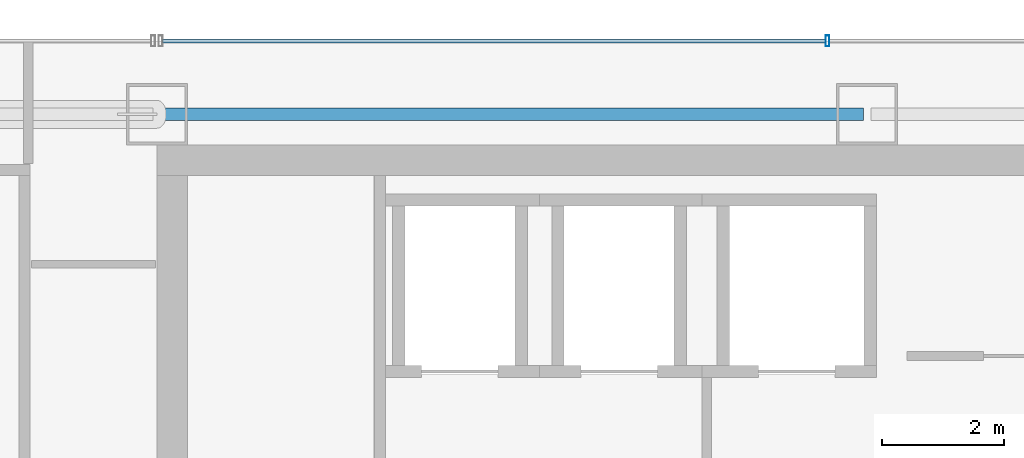
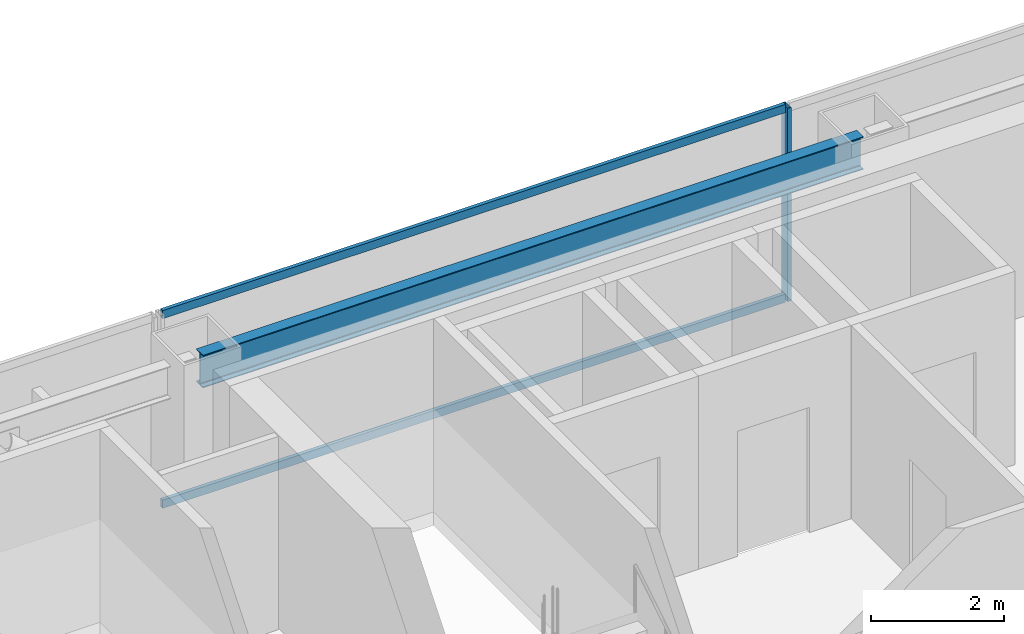
# One storey, part 23 of 35: 3 members, 1 beam, 1 element without a shape of its own.
"""IFC4 building model written with IfcOpenShell, lengths in metres."""

from ifc_helpers import new_model, si_unit, direction, frame, origin, origin_2d, place, context, subcontext, project, spatial, hollow_rectangle, i_section, extrude, material, material_profile, profile_set, type_object, element, aggregate, save


model = new_model("IFC4")

# Units and contexts
model_context = context("Model", 3, precision=1e-05, world=origin(), true_north=direction((0.0, 1.0)))
body_context = subcontext(model_context, "Body", "Model", "MODEL_VIEW")
ifc_project = project(units=[si_unit("LENGTHUNIT", "METRE"), si_unit("AREAUNIT", "SQUARE_METRE"), si_unit("VOLUMEUNIT", "CUBIC_METRE"), si_unit("PLANEANGLEUNIT", "RADIAN"), si_unit("MASSUNIT", "GRAM", prefix="KILO")], contexts=[model_context])

# Site, building, storey
site_placement = place(None, origin())
site = spatial("IfcSite", under=ifc_project, at=site_placement, CompositionType="ELEMENT")
building_placement = place(site_placement, origin())
building = spatial("IfcBuilding", under=site, at=building_placement, Name="Saevonmaru Cultural Tower", CompositionType="ELEMENT")
storey_placement = place(building_placement, frame((0.0, 0.0, 175.199951171875)))
storey = spatial("IfcBuildingStorey", under=building, at=storey_placement, Name="L39", CompositionType="ELEMENT", Elevation=175.199951171875)

# Beam
ifc_material_1 = material(Name="Steel SM355", Category="steel")
ifc_material_profile_1 = material_profile(ifc_material_1, i_section(OverallWidth=0.199951171875, OverallDepth=0.60009765625, WebThickness=0.010986328125, FlangeThickness=0.01708984375, FilletRadius=0.02197265625, at=origin_2d()), Name="H-600x200x11x17")
ifc_profile_set_1 = profile_set([ifc_material_profile_1], Name="Steel SM355")
beam_type = type_object("IfcBeamType", Name="BM-SP-H600", PredefinedType="SPANDREL", material=ifc_profile_set_1)
beam_placement = place(storey_placement, frame((13.659912109375, 54.800048828125, 3.25), z_axis=(1.0, 0.0, 0.0), x_axis=(0.0, 1.0, 0.0)))
element("IfcBeam", 1, at=beam_placement, inside=storey, type_object=beam_type, Name="L39 North Spine Girder 2", PredefinedType="SPANDREL", context=body_context, shape_type="SweptSolid", body=[
    extrude(i_section(OverallWidth=0.199951171875, OverallDepth=0.60009765625, WebThickness=0.010986328125, FlangeThickness=0.01708984375, FilletRadius=0.02197265625, at=origin_2d()), origin(), (0.0, 0.0, 1.0), 11.47998046875),
])

# Curtain wall, members
ifc_material_2 = material(Name="Satin Bronze Anodised Aluminium", Category="aluminium")
curtain_wall_type = type_object("IfcCurtainWallType", Name="CW-TYP-B", PredefinedType="NOTDEFINED", material=ifc_material_2)
curtain_wall_placement = place(storey_placement, origin())
curtain_wall = element("IfcCurtainWall", 2, at=curtain_wall_placement, inside=storey, type_object=curtain_wall_type, Name="L39 North Spine Unitised Curtain Wall E10B", PredefinedType="NOTDEFINED")
ifc_material_profile_2 = material_profile(ifc_material_2, hollow_rectangle(XDim=0.06494140625, YDim=0.179931640625, WallThickness=0.00390625, at=origin_2d()), Name="ALU-MULL-180x65x4")
ifc_profile_set_2 = profile_set([ifc_material_profile_2], Name="Satin Bronze Anodised Aluminium")
member_type_1 = type_object("IfcMemberType", Name="ML-CW-180x65", PredefinedType="MULLION", material=ifc_profile_set_2)
member_1_placement = place(storey_placement, frame((24.55322265625, 56.0, 0.0), z_axis=(0.0, 0.0, 1.0), x_axis=(-1.0, 0.0, 0.0)))
member_1 = element("IfcMember", 3, at=member_1_placement, type_object=member_type_1, Name="CW-TW-L39-E10B mullion 3", PredefinedType="MULLION", context=body_context, shape_type="SweptSolid", body=[
    extrude(hollow_rectangle(XDim=0.06494140625, YDim=0.179931640625, WallThickness=0.00390625, at=origin_2d()), origin(), (0.0, 0.0, 1.0), 3.550048828125),
])
ifc_material_profile_3 = material_profile(ifc_material_2, hollow_rectangle(XDim=0.06494140625, YDim=0.14990234375, WallThickness=0.00390625, at=origin_2d()), Name="ALU-TRAN-150x65x4")
ifc_profile_set_3 = profile_set([ifc_material_profile_3], Name="Satin Bronze Anodised Aluminium")
member_type_2 = type_object("IfcMemberType", Name="TR-CW-150x65", PredefinedType="USERDEFINED", material=ifc_profile_set_3)
member_2_placement = place(storey_placement, frame((24.520751953125, 56.0, 0.032470703125), z_axis=(-1.0, 0.0, 0.0), x_axis=(0.0, -1.0, 0.0)))
member_2 = element("IfcMember", 4, at=member_2_placement, type_object=member_type_2, Name="CW-TW-L39-E10B transom 3.1", ObjectType="TRANSOM", PredefinedType="USERDEFINED", context=body_context, shape_type="SweptSolid", body=[
    extrude(hollow_rectangle(XDim=0.06494140625, YDim=0.14990234375, WallThickness=0.00390625, at=origin_2d()), origin(), (0.0, 0.0, 1.0), 10.828369140625),
])
member_3_placement = place(storey_placement, frame((24.520751953125, 56.0, 3.517578125), z_axis=(-1.0, 0.0, 0.0), x_axis=(0.0, -1.0, 0.0)))
member_3 = element("IfcMember", 5, at=member_3_placement, type_object=member_type_2, Name="CW-TW-L39-E10B transom 3.2", ObjectType="TRANSOM", PredefinedType="USERDEFINED", context=body_context, shape_type="SweptSolid", body=[
    extrude(hollow_rectangle(XDim=0.06494140625, YDim=0.14990234375, WallThickness=0.00390625, at=origin_2d()), origin(), (0.0, 0.0, 1.0), 10.828369140625),
])
aggregate(curtain_wall, [member_1, member_2, member_3])

save(model, "model.ifc")
